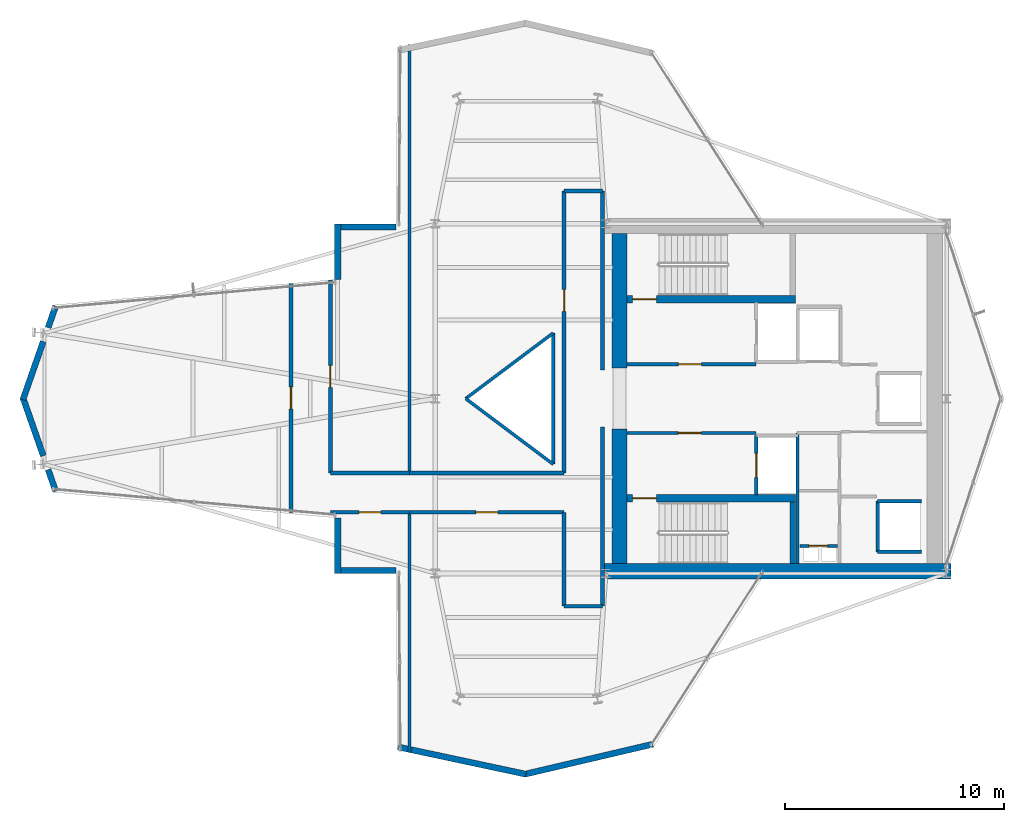
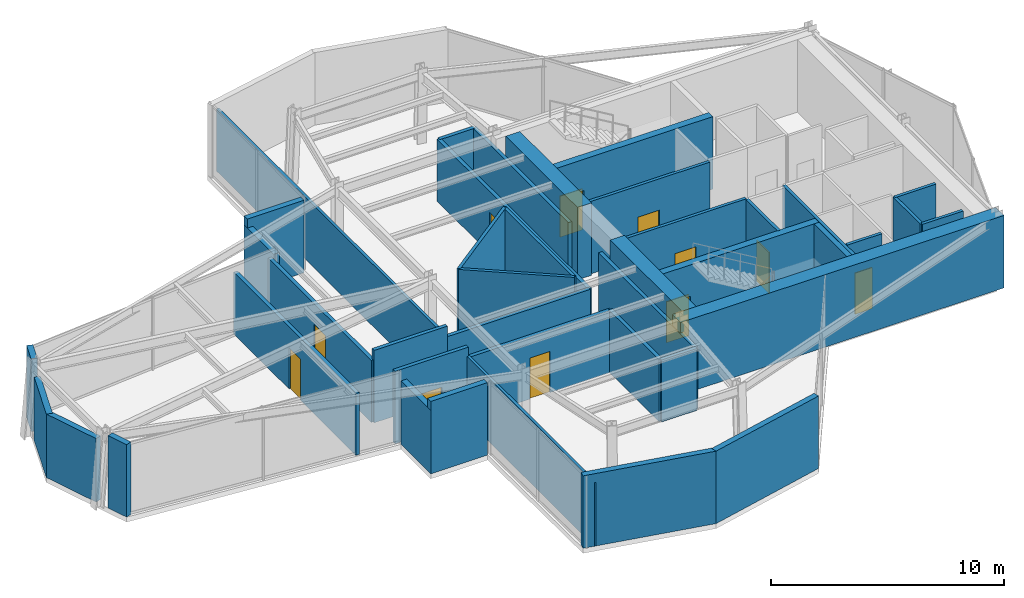
# One storey, part 21 of 23: 41 walls, 11 doors, 11 openings.
"""IFC4 building model written with IfcOpenShell, lengths in metres."""

from ifc_helpers import new_model, si_unit, direction, frame, frame_2d, origin, place, context, subcontext, project, spatial, rectangle, extrude, material, layer, layer_set, type_object, element, fill, save


model = new_model("IFC4")

# Units and contexts
model_context = context("Model", 3, precision=1e-05, world=origin(), true_north=direction((0.0, 1.0)))
body_context = subcontext(model_context, "Body", "Model", "MODEL_VIEW")
ifc_project = project(units=[si_unit("LENGTHUNIT", "METRE"), si_unit("AREAUNIT", "SQUARE_METRE"), si_unit("VOLUMEUNIT", "CUBIC_METRE"), si_unit("PLANEANGLEUNIT", "RADIAN"), si_unit("MASSUNIT", "GRAM", prefix="KILO")], contexts=[model_context])

# Site, building, storey
site_placement = place(None, origin())
site = spatial("IfcSite", under=ifc_project, at=site_placement, CompositionType="ELEMENT")
building_placement = place(site_placement, origin())
building = spatial("IfcBuilding", under=site, at=building_placement, Name="Veymaron Broadcast Tower", CompositionType="ELEMENT")
storey_placement = place(building_placement, frame((0.0, 0.0, 199.949951171875)))
storey = spatial("IfcBuildingStorey", under=building, at=storey_placement, Name="L46", CompositionType="ELEMENT", Elevation=199.949951171875)

# Walls
ifc_material_1 = material(Name="Precast concrete C40/50", Category="concrete")
ifc_layer_1 = layer(ifc_material_1, 0.280029296875)
ifc_layer_set_1 = layer_set([ifc_layer_1], Name="Precast concrete C40/50")
wall_type_1 = type_object("IfcWallType", Name="WALL-EXT-280", PredefinedType="STANDARD", material=ifc_layer_set_1)
wall_1_placement = place(storey_placement, frame((29.40576171875, 31.860107421875, 0.0), z_axis=(0.0, 0.0, 1.0), x_axis=(-1.0, 0.0, 0.0)))
element("IfcWall", 1, at=wall_1_placement, inside=storey, type_object=wall_type_1, Name="L46 notched corner facade pier 9-1", PredefinedType="STANDARD", context=body_context, shape_type="SweptSolid", body=[
    extrude(rectangle(XDim=2.8056640625, YDim=0.280029296875, at=frame_2d((1.40283203125, 0.0))), origin(), (0.0, 0.0, 1.0), 3.7900390625),
])
wall_2_placement = place(storey_placement, frame((26.739990234375, 32.0, 0.0), z_axis=(0.0, 0.0, 1.0), x_axis=(0.0, -1.0, 0.0)))
element("IfcWall", 2, at=wall_2_placement, inside=storey, type_object=wall_type_1, Name="L46 notched corner facade pier 10-1", PredefinedType="STANDARD", context=body_context, shape_type="SweptSolid", body=[
    extrude(rectangle(XDim=2.54541015625, YDim=0.280029296875, at=frame_2d((1.272705078125, 0.0))), origin(), (0.0, 0.0, 1.0), 3.319091796875),
])
wall_3_placement = place(storey_placement, frame((13.83203125, 28.2373046875, 0.0), z_axis=(0.0, 0.0, 1.0), x_axis=(-0.330412831303, -0.943836511749, 0.0)))
element("IfcWall", 3, at=wall_3_placement, inside=storey, type_object=wall_type_1, Name="L46 notched corner facade pier 12-1", PredefinedType="STANDARD", context=body_context, shape_type="SweptSolid", body=[
    extrude(rectangle(XDim=1.045654296875, YDim=0.280029296875, at=frame_2d((0.52294921875, 0.0))), origin(), (0.0, 0.0, 1.0), 3.7900390625),
])
for number, where, z_axis, x_axis, name in (
    (4, (13.26416015625, 26.614990234375, 0.0), (0.0, 0.0, 1.0), (-0.330554810483, -0.94378679651, 0.0), "L46 notched corner facade pier 12-2"),
    (5, (12.33203125, 24.04638671875, 0.0), (0.0, 0.0, 1.0), (0.330554810483, -0.94378679651, 0.0), "L46 notched corner facade pier 13-1"),
):
    element("IfcWall", number, at=place(storey_placement, frame(where, z_axis=z_axis, x_axis=x_axis)), inside=storey, type_object=wall_type_1, Name=name, PredefinedType="STANDARD", context=body_context, shape_type="SweptSolid", body=[
        extrude(rectangle(XDim=2.81982421875, YDim=0.280029296875, at=frame_2d((1.409912109375, 0.0))), origin(), (0.0, 0.0, 1.0), 3.319091796875),
    ])
wall_4_placement = place(storey_placement, frame((13.486572265625, 20.74951171875, 0.0), z_axis=(0.0, 0.0, 1.0), x_axis=(0.330412831303, -0.943836511749, 0.0)))
element("IfcWall", 6, at=wall_4_placement, inside=storey, type_object=wall_type_1, Name="L46 notched corner facade pier 13-2", PredefinedType="STANDARD", context=body_context, shape_type="SweptSolid", body=[
    extrude(rectangle(XDim=1.045654296875, YDim=0.280029296875, at=frame_2d((0.52294921875, 0.0))), origin(), (0.0, 0.0, 1.0), 3.7900390625),
])
wall_5_placement = place(storey_placement, frame((26.739990234375, 18.54541015625, 0.0), z_axis=(0.0, 0.0, 1.0), x_axis=(0.0, -1.0, 0.0)))
element("IfcWall", 7, at=wall_5_placement, inside=storey, type_object=wall_type_1, Name="L46 notched corner facade pier 15-1", PredefinedType="STANDARD", context=body_context, shape_type="SweptSolid", body=[
    extrude(rectangle(XDim=2.54541015625, YDim=0.280029296875, at=frame_2d((1.272705078125, 0.0))), origin(), (0.0, 0.0, 1.0), 3.319091796875),
])
wall_6_placement = place(storey_placement, frame((26.60009765625, 16.139892578125, 0.0), z_axis=(0.0, 0.0, 1.0), x_axis=(1.0, 0.0, 0.0)))
element("IfcWall", 8, at=wall_6_placement, inside=storey, type_object=wall_type_1, Name="L46 notched corner facade pier 16-1", PredefinedType="STANDARD", context=body_context, shape_type="SweptSolid", body=[
    extrude(rectangle(XDim=2.8056640625, YDim=0.280029296875, at=frame_2d((1.40283203125, 0.0))), origin(), (0.0, 0.0, 1.0), 3.7900390625),
])
wall_7_placement = place(storey_placement, frame((29.492431640625, 8.06201171875, 0.0), z_axis=(0.0, 0.0, 1.0), x_axis=(0.978010564176, -0.208555355626, 0.0)))
element("IfcWall", 9, at=wall_7_placement, inside=storey, type_object=wall_type_1, Name="L46 notched corner facade pier 18-1", PredefinedType="STANDARD", context=body_context, shape_type="SweptSolid", body=[
    extrude(rectangle(XDim=5.99365234375, YDim=0.280029296875, at=frame_2d((2.996826171875, 0.0))), origin(), (0.0, 0.0, 1.0), 3.7900390625),
])
wall_8_placement = place(storey_placement, frame((35.29296875, 6.811279296875, 0.0), z_axis=(0.0, 0.0, 1.0), x_axis=(0.973574347184, 0.228370292517, 0.0)))
element("IfcWall", 10, at=wall_8_placement, inside=storey, type_object=wall_type_1, Name="L46 notched corner facade pier 19-1", PredefinedType="STANDARD", context=body_context, shape_type="SweptSolid", body=[
    extrude(rectangle(XDim=6.02099609375, YDim=0.280029296875, at=frame_2d((3.010498046875, 0.0))), origin(), (0.0, 0.0, 1.0), 3.7900390625),
])

# Wall, opening, door
ifc_material_2 = material(Name="Gypsum fireboard and steel stud framing", Category="steel")
ifc_layer_2 = layer(ifc_material_2, 0.14990234375)
ifc_layer_set_2 = layer_set([ifc_layer_2], Name="Gypsum fireboard and steel stud framing")
wall_type_2 = type_object("IfcWallType", Name="WALL-FIRE-150", PredefinedType="PARTITIONING", material=ifc_layer_set_2)
wall_9_placement = place(storey_placement, frame((39.97998046875, 25.574951171875, 0.0), z_axis=(0.0, 0.0, 1.0), x_axis=(1.0, 0.0, 0.0)))
wall_9 = element("IfcWall", 11, at=wall_9_placement, inside=storey, type_object=wall_type_2, Name="L46 partition IW-L46-FFLN-S", PredefinedType="PARTITIONING", context=body_context, shape_type="SweptSolid", body=[
    extrude(rectangle(XDim=5.89990234375, YDim=0.14990234375, at=frame_2d((2.949951171875, 0.0))), origin(), (0.0, 0.0, 1.0), 3.7900390625),
])
opening_1_placement = place(wall_9_placement, frame((2.35009765625, 0.0, 0.0)))
opening_1 = element("IfcOpeningElement", 12, at=opening_1_placement, cuts=wall_9, Name="Opening ID-FL1", PredefinedType="OPENING", context=body_context, shape_type="SweptSolid", body=[
    extrude(rectangle(XDim=1.050048828125, YDim=2.14990234375, at=frame_2d((0.52490234375, 1.074951171875))), frame((0.0, 0.0849609375, 0.0), z_axis=(0.0, -1.0, 0.0), x_axis=(1.0, 0.0, 0.0)), (0.0, 0.0, 1.0), 0.169921875),
])
ifc_material_3 = material(Name="Fire-rated painted hollow steel ASTM A653", Category="steel")
door_type_1 = type_object("IfcDoorType", Name="DOOR-FIRE-1050", OperationType="NOTDEFINED", PredefinedType="DOOR", material=ifc_material_3)
door_1_placement = place(opening_1_placement, origin())
door_1 = element("IfcDoor", 13, at=door_1_placement, inside=storey, type_object=door_type_1, Name="L46 door DR-L46-FFLN", OperationType="SINGLE_SWING_LEFT", OverallHeight=2.14990234375, OverallWidth=1.050048828125, PredefinedType="DOOR", context=body_context, shape_type="SweptSolid", body=[
    extrude(rectangle(XDim=1.050048828125, YDim=2.14990234375, at=frame_2d((0.52490234375, 1.074951171875))), frame((0.0, 0.02490234375, 0.0), z_axis=(0.0, -1.0, 0.0), x_axis=(1.0, 0.0, 0.0)), (0.0, 0.0, 1.0), 0.050048828125),
])
fill(opening_1, door_1)

wall_10_placement = place(storey_placement, frame((39.97998046875, 22.425048828125, 0.0), z_axis=(0.0, 0.0, 1.0), x_axis=(1.0, 0.0, 0.0)))
wall_10 = element("IfcWall", 14, at=wall_10_placement, inside=storey, type_object=wall_type_2, Name="L46 partition IW-L46-FFLS-N", PredefinedType="PARTITIONING", context=body_context, shape_type="SweptSolid", body=[
    extrude(rectangle(XDim=5.89990234375, YDim=0.14990234375, at=frame_2d((2.949951171875, 0.0))), origin(), (0.0, 0.0, 1.0), 3.7900390625),
])
opening_2_placement = place(wall_10_placement, frame((2.35009765625, 0.0, 0.0)))
opening_2 = element("IfcOpeningElement", 15, at=opening_2_placement, cuts=wall_10, Name="Opening ID-FL1", PredefinedType="OPENING", context=body_context, shape_type="SweptSolid", body=[
    extrude(rectangle(XDim=1.050048828125, YDim=2.14990234375, at=frame_2d((0.52490234375, 1.074951171875))), frame((0.0, 0.0849609375, 0.0), z_axis=(0.0, -1.0, 0.0), x_axis=(1.0, 0.0, 0.0)), (0.0, 0.0, 1.0), 0.169921875),
])
door_2_placement = place(opening_2_placement, frame((1.050048828125, 0.0, 0.0), z_axis=(0.0, 0.0, 1.0), x_axis=(-1.0, 0.0, 0.0)))
door_2 = element("IfcDoor", 16, at=door_2_placement, inside=storey, type_object=door_type_1, Name="L46 door DR-L46-FFLS", OperationType="SINGLE_SWING_RIGHT", OverallHeight=2.14990234375, OverallWidth=1.050048828125, PredefinedType="DOOR", context=body_context, shape_type="SweptSolid", body=[
    extrude(rectangle(XDim=1.050048828125, YDim=2.14990234375, at=frame_2d((0.52490234375, 1.074951171875))), frame((0.0, 0.02490234375, 0.0), z_axis=(0.0, -1.0, 0.0), x_axis=(1.0, 0.0, 0.0)), (0.0, 0.0, 1.0), 0.050048828125),
])
fill(opening_2, door_2)

wall_11_placement = place(storey_placement, frame((45.89501953125, 19.590087890625, 0.0), z_axis=(0.0, 0.0, 1.0), x_axis=(0.0, 1.0, 0.0)))
wall_11 = element("IfcWall", 17, at=wall_11_placement, inside=storey, type_object=wall_type_2, Name="L46 partition IW-L46-SHW-FFL-2", PredefinedType="PARTITIONING", context=body_context, shape_type="SweptSolid", body=[
    extrude(rectangle(XDim=2.719970703125, YDim=0.14990234375, at=frame_2d((1.35986328125, 0.0))), origin(), (0.0, 0.0, 1.0), 3.7900390625),
])
opening_3_placement = place(wall_11_placement, frame((0.81005859375, 0.0, 0.0)))
opening_3 = element("IfcOpeningElement", 18, at=opening_3_placement, cuts=wall_11, Name="Opening LD", PredefinedType="OPENING", context=body_context, shape_type="SweptSolid", body=[
    extrude(rectangle(XDim=1.10009765625, YDim=2.14990234375, at=frame_2d((0.550048828125, 1.074951171875))), frame((0.0, 0.0849609375, 0.0), z_axis=(0.0, -1.0, 0.0), x_axis=(1.0, 0.0, 0.0)), (0.0, 0.0, 1.0), 0.169921875),
])
ifc_material_4 = material(Name="Brushed stainless steel AISI 304", Category="steel")
door_type_2 = type_object("IfcDoorType", Name="DOOR-LIFT-1100", OperationType="DOUBLE_DOOR_SLIDING", PredefinedType="DOOR", material=ifc_material_4)
door_3_placement = place(opening_3_placement, frame((1.10009765625, 0.0, 0.0), z_axis=(0.0, 0.0, 1.0), x_axis=(-1.0, 0.0, 0.0)))
door_3 = element("IfcDoor", 19, at=door_3_placement, inside=storey, type_object=door_type_2, Name="L46 door LD-L46-FFL-2", OperationType="DOUBLE_DOOR_SLIDING", OverallHeight=2.14990234375, OverallWidth=1.10009765625, PredefinedType="DOOR", context=body_context, shape_type="SweptSolid", body=[
    extrude(rectangle(XDim=1.10009765625, YDim=2.14990234375, at=frame_2d((0.550048828125, 1.074951171875))), frame((0.0, 0.02490234375, 0.0), z_axis=(0.0, -1.0, 0.0), x_axis=(1.0, 0.0, 0.0)), (0.0, 0.0, 1.0), 0.050048828125),
])
fill(opening_3, door_3)

# Walls
wall_12_placement = place(storey_placement, frame((51.445068359375, 16.989990234375, 0.0), z_axis=(0.0, 0.0, 1.0), x_axis=(0.0, 1.0, 0.0)))
element("IfcWall", 20, at=wall_12_placement, inside=storey, type_object=wall_type_2, Name="L46 partition IW-L46-SHW-PH1", PredefinedType="PARTITIONING", context=body_context, shape_type="SweptSolid", body=[
    extrude(rectangle(XDim=2.320068359375, YDim=0.14990234375, at=frame_2d((1.16015625, 0.0))), origin(), (0.0, 0.0, 1.0), 3.7900390625),
])
for number, where, z_axis, x_axis, name in (
    (21, (51.445068359375, 16.989990234375, 0.0), (0.0, 0.0, 1.0), (1.0, 0.0, 0.0), "L46 partition IW-L46-SHS-PH1"),
    (22, (51.445068359375, 19.31005859375, 0.0), (0.0, 0.0, 1.0), (1.0, 0.0, 0.0), "L46 partition IW-L46-SHN-PH1"),
):
    element("IfcWall", number, at=place(storey_placement, frame(where, z_axis=z_axis, x_axis=x_axis)), inside=storey, type_object=wall_type_2, Name=name, PredefinedType="PARTITIONING", context=body_context, shape_type="SweptSolid", body=[
        extrude(rectangle(XDim=2.014892578125, YDim=0.14990234375, at=frame_2d((1.00732421875, 0.0))), origin(), (0.0, 0.0, 1.0), 3.7900390625),
    ])

# Wall, opening, door
wall_13_placement = place(storey_placement, frame((47.8798828125, 17.260009765625, 0.0), z_axis=(0.0, 0.0, 1.0), x_axis=(1.0, 0.0, 0.0)))
wall_13 = element("IfcWall", 23, at=wall_13_placement, inside=storey, type_object=wall_type_2, Name="L46 partition IW-L46-RIS-N", PredefinedType="PARTITIONING", context=body_context, shape_type="SweptSolid", body=[
    extrude(rectangle(XDim=1.72021484375, YDim=0.14990234375, at=frame_2d((0.860107421875, 0.0))), origin(), (0.0, 0.0, 1.0), 3.7900390625),
])
opening_4_placement = place(wall_13_placement, frame((0.419921875, 0.0, 0.0)))
opening_4 = element("IfcOpeningElement", 24, at=opening_4_placement, cuts=wall_13, Name="Opening ID-RS1", PredefinedType="OPENING", context=body_context, shape_type="SweptSolid", body=[
    extrude(rectangle(XDim=0.85009765625, YDim=2.14990234375, at=frame_2d((0.425048828125, 1.074951171875))), frame((0.0, 0.0849609375, 0.0), z_axis=(0.0, -1.0, 0.0), x_axis=(1.0, 0.0, 0.0)), (0.0, 0.0, 1.0), 0.169921875),
])
ifc_material_5 = material(Name="Fire-rated powder-coated steel riser leaf", Category="steel")
door_type_3 = type_object("IfcDoorType", Name="DOOR-RIS-850", OperationType="NOTDEFINED", PredefinedType="TRAPDOOR", material=ifc_material_5)
door_4_placement = place(opening_4_placement, origin())
door_4 = element("IfcDoor", 25, at=door_4_placement, inside=storey, type_object=door_type_3, Name="L46 door DR-L46-RIS", OperationType="SINGLE_SWING_LEFT", OverallHeight=2.14990234375, OverallWidth=0.85009765625, PredefinedType="TRAPDOOR", context=body_context, shape_type="SweptSolid", body=[
    extrude(rectangle(XDim=0.85009765625, YDim=2.14990234375, at=frame_2d((0.425048828125, 1.074951171875))), frame((0.0, 0.02490234375, 0.0), z_axis=(0.0, -1.0, 0.0), x_axis=(1.0, 0.0, 0.0)), (0.0, 0.0, 1.0), 0.050048828125),
])
fill(opening_4, door_4)

# Wall
wall_14_placement = place(storey_placement, frame((47.780029296875, 16.449951171875, 0.0), z_axis=(0.0, 0.0, 1.0), x_axis=(0.0, 1.0, 0.0)))
element("IfcWall", 26, at=wall_14_placement, inside=storey, type_object=wall_type_2, Name="L46 partition IW-L46-SM-W", PredefinedType="PARTITIONING", context=body_context, shape_type="SweptSolid", body=[
    extrude(rectangle(XDim=5.97509765625, YDim=0.14990234375, at=frame_2d((2.987548828125, 0.0))), origin(), (0.0, 0.0, 1.0), 3.7900390625),
])

# Wall, opening, door
ifc_material_6 = material(Name="Concrete C40/50", Category="concrete")
ifc_layer_3 = layer(ifc_material_6, 0.179931640625)
ifc_layer_set_3 = layer_set([ifc_layer_3], Name="Concrete C40/50")
wall_type_3 = type_object("IfcWallType", Name="WALL-FIRE-180", PredefinedType="SOLIDWALL", material=ifc_layer_set_3)
wall_15_placement = place(storey_placement, frame((30.02490234375, 18.800048828125, 0.0), z_axis=(0.0, 0.0, 1.0), x_axis=(1.0, 0.0, 0.0)))
wall_15 = element("IfcWall", 27, at=wall_15_placement, inside=storey, type_object=wall_type_3, Name="L46 partition IW-L46-P02", PredefinedType="SOLIDWALL", context=body_context, shape_type="SweptSolid", body=[
    extrude(rectangle(XDim=7.0751953125, YDim=0.179931640625, at=frame_2d((3.53759765625, 0.0))), origin(), (0.0, 0.0, 1.0), 3.240966796875),
])
opening_5_placement = place(wall_15_placement, frame((3.03759765625, 0.0, 0.0)))
opening_5 = element("IfcOpeningElement", 28, at=opening_5_placement, cuts=wall_15, Name="Opening ID-RM3", PredefinedType="OPENING", context=body_context, shape_type="SweptSolid", body=[
    extrude(rectangle(XDim=1.0, YDim=2.14990234375, at=frame_2d((0.5, 1.074951171875))), frame((0.0, 0.10009765625, 0.0), z_axis=(0.0, -1.0, 0.0), x_axis=(1.0, 0.0, 0.0)), (0.0, 0.0, 1.0), 0.199951171875),
])
ifc_material_7 = material(Name="Acoustic solid-core European oak veneer timber", Category="wood")
door_type_4 = type_object("IfcDoorType", Name="DOOR-INT-1000", OperationType="NOTDEFINED", PredefinedType="DOOR", material=ifc_material_7)
door_5_placement = place(opening_5_placement, frame((1.0, 0.0, 0.0), z_axis=(0.0, 0.0, 1.0), x_axis=(-1.0, 0.0, 0.0)))
door_5 = element("IfcDoor", 29, at=door_5_placement, inside=storey, type_object=door_type_4, Name="L46 door DR-L46-P02", OperationType="SINGLE_SWING_LEFT", OverallHeight=2.14990234375, OverallWidth=1.0, PredefinedType="DOOR", context=body_context, shape_type="SweptSolid", body=[
    extrude(rectangle(XDim=1.0, YDim=2.14990234375, at=frame_2d((0.5, 1.074951171875))), frame((0.0, 0.02490234375, 0.0), z_axis=(0.0, -1.0, 0.0), x_axis=(1.0, 0.0, 0.0)), (0.0, 0.0, 1.0), 0.050048828125),
])
fill(opening_5, door_5)

wall_16_placement = place(storey_placement, frame((26.39990234375, 18.800048828125, 0.0), z_axis=(0.0, 0.0, 1.0), x_axis=(1.0, 0.0, 0.0)))
wall_16 = element("IfcWall", 30, at=wall_16_placement, inside=storey, type_object=wall_type_3, Name="L46 partition IW-L46-P05", PredefinedType="SOLIDWALL", context=body_context, shape_type="SweptSolid", body=[
    extrude(rectangle(XDim=3.625, YDim=0.179931640625, at=frame_2d((1.8125, 0.0))), origin(), (0.0, 0.0, 1.0), 3.7900390625),
])
opening_6_placement = place(wall_16_placement, frame((1.3125, 0.0, 0.0)))
opening_6 = element("IfcOpeningElement", 31, at=opening_6_placement, cuts=wall_16, Name="Opening ID-RM3", PredefinedType="OPENING", context=body_context, shape_type="SweptSolid", body=[
    extrude(rectangle(XDim=1.0, YDim=2.14990234375, at=frame_2d((0.5, 1.074951171875))), frame((0.0, 0.10009765625, 0.0), z_axis=(0.0, -1.0, 0.0), x_axis=(1.0, 0.0, 0.0)), (0.0, 0.0, 1.0), 0.199951171875),
])
door_6_placement = place(opening_6_placement, frame((1.0, 0.0, 0.0), z_axis=(0.0, 0.0, 1.0), x_axis=(-1.0, 0.0, 0.0)))
door_6 = element("IfcDoor", 32, at=door_6_placement, inside=storey, type_object=door_type_4, Name="L46 door DR-L46-P05", OperationType="SINGLE_SWING_RIGHT", OverallHeight=2.14990234375, OverallWidth=1.0, PredefinedType="DOOR", context=body_context, shape_type="SweptSolid", body=[
    extrude(rectangle(XDim=1.0, YDim=2.14990234375, at=frame_2d((0.5, 1.074951171875))), frame((0.0, 0.02490234375, 0.0), z_axis=(0.0, -1.0, 0.0), x_axis=(1.0, 0.0, 0.0)), (0.0, 0.0, 1.0), 0.050048828125),
])
fill(opening_6, door_6)

wall_17_placement = place(storey_placement, frame((24.60009765625, 18.800048828125, 0.0), z_axis=(0.0, 0.0, 1.0), x_axis=(0.0, 1.0, 0.0)))
wall_17 = element("IfcWall", 33, at=wall_17_placement, inside=storey, type_object=wall_type_3, Name="L46 partition IW-L46-P06", PredefinedType="SOLIDWALL", context=body_context, shape_type="SweptSolid", body=[
    extrude(rectangle(XDim=10.47314453125, YDim=0.179931640625, at=frame_2d((5.236572265625, 0.0))), origin(), (0.0, 0.0, 1.0), 3.240966796875),
])
opening_7_placement = place(wall_17_placement, frame((4.736572265625, 0.0, 0.0)))
opening_7 = element("IfcOpeningElement", 34, at=opening_7_placement, cuts=wall_17, Name="Opening ID-RM3", PredefinedType="OPENING", context=body_context, shape_type="SweptSolid", body=[
    extrude(rectangle(XDim=1.0, YDim=2.14990234375, at=frame_2d((0.5, 1.074951171875))), frame((0.0, 0.10009765625, 0.0), z_axis=(0.0, -1.0, 0.0), x_axis=(1.0, 0.0, 0.0)), (0.0, 0.0, 1.0), 0.199951171875),
])
door_7_placement = place(opening_7_placement, origin())
door_7 = element("IfcDoor", 35, at=door_7_placement, inside=storey, type_object=door_type_4, Name="L46 door DR-L46-P06", OperationType="SINGLE_SWING_LEFT", OverallHeight=2.14990234375, OverallWidth=1.0, PredefinedType="DOOR", context=body_context, shape_type="SweptSolid", body=[
    extrude(rectangle(XDim=1.0, YDim=2.14990234375, at=frame_2d((0.5, 1.074951171875))), frame((0.0, 0.02490234375, 0.0), z_axis=(0.0, -1.0, 0.0), x_axis=(1.0, 0.0, 0.0)), (0.0, 0.0, 1.0), 0.050048828125),
])
fill(opening_7, door_7)

wall_18_placement = place(storey_placement, frame((26.39990234375, 20.60009765625, 0.0), z_axis=(0.0, 0.0, 1.0), x_axis=(0.0, 1.0, 0.0)))
wall_18 = element("IfcWall", 36, at=wall_18_placement, inside=storey, type_object=wall_type_3, Name="L46 partition IW-L46-P07", PredefinedType="SOLIDWALL", context=body_context, shape_type="SweptSolid", body=[
    extrude(rectangle(XDim=8.83642578125, YDim=0.179931640625, at=frame_2d((4.418212890625, 0.0))), origin(), (0.0, 0.0, 1.0), 3.240966796875),
])
opening_8_placement = place(wall_18_placement, frame((3.918212890625, 0.0, 0.0)))
opening_8 = element("IfcOpeningElement", 37, at=opening_8_placement, cuts=wall_18, Name="Opening ID-RM3", PredefinedType="OPENING", context=body_context, shape_type="SweptSolid", body=[
    extrude(rectangle(XDim=1.0, YDim=2.14990234375, at=frame_2d((0.5, 1.074951171875))), frame((0.0, 0.10009765625, 0.0), z_axis=(0.0, -1.0, 0.0), x_axis=(1.0, 0.0, 0.0)), (0.0, 0.0, 1.0), 0.199951171875),
])
door_8_placement = place(opening_8_placement, frame((1.0, 0.0, 0.0), z_axis=(0.0, 0.0, 1.0), x_axis=(-1.0, 0.0, 0.0)))
door_8 = element("IfcDoor", 38, at=door_8_placement, inside=storey, type_object=door_type_4, Name="L46 door DR-L46-P07", OperationType="SINGLE_SWING_RIGHT", OverallHeight=2.14990234375, OverallWidth=1.0, PredefinedType="DOOR", context=body_context, shape_type="SweptSolid", body=[
    extrude(rectangle(XDim=1.0, YDim=2.14990234375, at=frame_2d((0.5, 1.074951171875))), frame((0.0, 0.02490234375, 0.0), z_axis=(0.0, -1.0, 0.0), x_axis=(1.0, 0.0, 0.0)), (0.0, 0.0, 1.0), 0.050048828125),
])
fill(opening_8, door_8)

wall_19_placement = place(storey_placement, frame((37.10009765625, 20.60009765625, 0.0), z_axis=(0.0, 0.0, 1.0), x_axis=(0.0, 1.0, 0.0)))
wall_19 = element("IfcWall", 39, at=wall_19_placement, inside=storey, type_object=wall_type_3, Name="L46 partition IW-L46-P09", PredefinedType="SOLIDWALL", context=body_context, shape_type="SweptSolid", body=[
    extrude(rectangle(XDim=12.89990234375, YDim=0.179931640625, at=frame_2d((6.449951171875, 0.0))), origin(), (0.0, 0.0, 1.0), 3.240966796875),
])
opening_9_placement = place(wall_19_placement, frame((7.389892578125, 0.0, 0.0)))
opening_9 = element("IfcOpeningElement", 40, at=opening_9_placement, cuts=wall_19, Name="Opening ID-RM3", PredefinedType="OPENING", context=body_context, shape_type="SweptSolid", body=[
    extrude(rectangle(XDim=1.0, YDim=2.14990234375, at=frame_2d((0.5, 1.074951171875))), frame((0.0, 0.10009765625, 0.0), z_axis=(0.0, -1.0, 0.0), x_axis=(1.0, 0.0, 0.0)), (0.0, 0.0, 1.0), 0.199951171875),
])
door_9_placement = place(opening_9_placement, frame((1.0, 0.0, 0.0), z_axis=(0.0, 0.0, 1.0), x_axis=(-1.0, 0.0, 0.0)))
door_9 = element("IfcDoor", 41, at=door_9_placement, inside=storey, type_object=door_type_4, Name="L46 door DR-L46-P09", OperationType="SINGLE_SWING_RIGHT", OverallHeight=2.14990234375, OverallWidth=1.0, PredefinedType="DOOR", context=body_context, shape_type="SweptSolid", body=[
    extrude(rectangle(XDim=1.0, YDim=2.14990234375, at=frame_2d((0.5, 1.074951171875))), frame((0.0, 0.02490234375, 0.0), z_axis=(0.0, -1.0, 0.0), x_axis=(1.0, 0.0, 0.0)), (0.0, 0.0, 1.0), 0.050048828125),
])
fill(opening_9, door_9)

# Walls
wall_20_placement = place(storey_placement, frame((38.85009765625, 14.5, 0.0), z_axis=(0.0, 0.0, 1.0), x_axis=(0.0, 1.0, 0.0)))
element("IfcWall", 42, at=wall_20_placement, inside=storey, type_object=wall_type_3, Name="L46 partition IW-L46-P01", PredefinedType="SOLIDWALL", context=body_context, shape_type="SweptSolid", body=[
    extrude(rectangle(XDim=8.199951171875, YDim=0.179931640625, at=frame_2d((4.10009765625, 0.0))), origin(), (0.0, 0.0, 1.0), 3.240966796875),
])
wall_21_placement = place(storey_placement, frame((37.10009765625, 14.5, 0.0), z_axis=(0.0, 0.0, 1.0), x_axis=(0.0, 1.0, 0.0)))
element("IfcWall", 43, at=wall_21_placement, inside=storey, type_object=wall_type_3, Name="L46 partition IW-L46-P03", PredefinedType="SOLIDWALL", context=body_context, shape_type="SweptSolid", body=[
    extrude(rectangle(XDim=4.300048828125, YDim=0.179931640625, at=frame_2d((2.14990234375, 0.0))), origin(), (0.0, 0.0, 1.0), 3.240966796875),
])
wall_22_placement = place(storey_placement, frame((37.10009765625, 14.5, 0.0), z_axis=(0.0, 0.0, 1.0), x_axis=(1.0, 0.0, 0.0)))
element("IfcWall", 44, at=wall_22_placement, inside=storey, type_object=wall_type_3, Name="L46 partition IW-L46-P04", PredefinedType="SOLIDWALL", context=body_context, shape_type="SweptSolid", body=[
    extrude(rectangle(XDim=1.75, YDim=0.179931640625, at=frame_2d((0.875, 0.0))), origin(), (0.0, 0.0, 1.0), 3.240966796875),
])
wall_23_placement = place(storey_placement, frame((26.39990234375, 20.60009765625, 0.0), z_axis=(0.0, 0.0, 1.0), x_axis=(1.0, 0.0, 0.0)))
element("IfcWall", 45, at=wall_23_placement, inside=storey, type_object=wall_type_3, Name="L46 partition IW-L46-P08", PredefinedType="SOLIDWALL", context=body_context, shape_type="SweptSolid", body=[
    extrude(rectangle(XDim=3.625, YDim=0.179931640625, at=frame_2d((1.8125, 0.0))), origin(), (0.0, 0.0, 1.0), 3.7900390625),
])
wall_24_placement = place(storey_placement, frame((38.85009765625, 25.300048828125, 0.0), z_axis=(0.0, 0.0, 1.0), x_axis=(0.0, 1.0, 0.0)))
element("IfcWall", 46, at=wall_24_placement, inside=storey, type_object=wall_type_3, Name="L46 partition IW-L46-P10", PredefinedType="SOLIDWALL", context=body_context, shape_type="SweptSolid", body=[
    extrude(rectangle(XDim=8.199951171875, YDim=0.179931640625, at=frame_2d((4.10009765625, 0.0))), origin(), (0.0, 0.0, 1.0), 3.240966796875),
])
wall_25_placement = place(storey_placement, frame((30.02490234375, 20.60009765625, 0.0), z_axis=(0.0, 0.0, 1.0), x_axis=(1.0, 0.0, 0.0)))
element("IfcWall", 47, at=wall_25_placement, inside=storey, type_object=wall_type_3, Name="L46 partition IW-L46-P11", PredefinedType="SOLIDWALL", context=body_context, shape_type="SweptSolid", body=[
    extrude(rectangle(XDim=7.0751953125, YDim=0.179931640625, at=frame_2d((3.53759765625, 0.0))), origin(), (0.0, 0.0, 1.0), 3.240966796875),
])
wall_26_placement = place(storey_placement, frame((37.10009765625, 33.5, 0.0), z_axis=(0.0, 0.0, 1.0), x_axis=(1.0, 0.0, 0.0)))
element("IfcWall", 48, at=wall_26_placement, inside=storey, type_object=wall_type_3, Name="L46 partition IW-L46-P12", PredefinedType="SOLIDWALL", context=body_context, shape_type="SweptSolid", body=[
    extrude(rectangle(XDim=1.75, YDim=0.179931640625, at=frame_2d((0.875, 0.0))), origin(), (0.0, 0.0, 1.0), 3.240966796875),
])
ifc_material_8 = material(Name="Fire-rated laminated glass in aluminium frame", Category="aluminium")
ifc_layer_4 = layer(ifc_material_8, 0.14990234375)
ifc_layer_set_4 = layer_set([ifc_layer_4], Name="Fire-rated laminated glass in aluminium frame")
wall_type_4 = type_object("IfcWallType", Name="WALL-GLZ-150", PredefinedType="MOVABLE", material=ifc_layer_set_4)
wall_27_placement = place(storey_placement, frame((32.60009765625, 24.0, 0.0), z_axis=(0.0, 0.0, 1.0), x_axis=(0.8, -0.6, 0.0)))
element("IfcWall", 49, at=wall_27_placement, inside=storey, type_object=wall_type_4, Name="L46 partition IW-L46-ATR1", PredefinedType="MOVABLE", context=body_context, shape_type="SweptSolid", body=[
    extrude(rectangle(XDim=5.0, YDim=0.14990234375, at=frame_2d((2.5, 0.0))), origin(), (0.0, 0.0, 1.0), 3.7900390625),
])
wall_28_placement = place(storey_placement, frame((36.60009765625, 21.0, 0.0), z_axis=(0.0, 0.0, 1.0), x_axis=(0.0, 1.0, 0.0)))
element("IfcWall", 50, at=wall_28_placement, inside=storey, type_object=wall_type_4, Name="L46 partition IW-L46-ATR2", PredefinedType="MOVABLE", context=body_context, shape_type="SweptSolid", body=[
    extrude(rectangle(XDim=6.0, YDim=0.14990234375, at=frame_2d((3.0, 0.0))), origin(), (0.0, 0.0, 1.0), 3.7900390625),
])
wall_29_placement = place(storey_placement, frame((36.60009765625, 27.0, 0.0), z_axis=(0.0, 0.0, 1.0), x_axis=(-0.8, -0.6, 0.0)))
element("IfcWall", 51, at=wall_29_placement, inside=storey, type_object=wall_type_4, Name="L46 partition IW-L46-ATR3", PredefinedType="MOVABLE", context=body_context, shape_type="SweptSolid", body=[
    extrude(rectangle(XDim=5.0, YDim=0.14990234375, at=frame_2d((2.5, 0.0))), origin(), (0.0, 0.0, 1.0), 3.7900390625),
])
ifc_material_9 = material(Name="Double-layer acoustic gypsum and stud", Category="gypsum")
ifc_layer_5 = layer(ifc_material_9, 0.135009765625)
ifc_layer_set_5 = layer_set([ifc_layer_5], Name="Double-layer acoustic gypsum and stud")
wall_type_5 = type_object("IfcWallType", Name="WALL-PART-135", PredefinedType="PARTITIONING", material=ifc_layer_set_5)
wall_30_placement = place(storey_placement, frame((30.02490234375, 7.80517578125, 0.0), z_axis=(0.0, 0.0, 1.0), x_axis=(0.0, 1.0, 0.0)))
element("IfcWall", 52, at=wall_30_placement, inside=storey, type_object=wall_type_5, Name="L46 partition IW-L46-P13", PredefinedType="PARTITIONING", context=body_context, shape_type="SweptSolid", body=[
    extrude(rectangle(XDim=10.994873046875, YDim=0.135009765625, at=frame_2d((5.49755859375, 0.0))), origin(), (0.0, 0.0, 1.0), 3.319091796875),
])
wall_31_placement = place(storey_placement, frame((30.02490234375, 20.60009765625, 0.0), z_axis=(0.0, 0.0, 1.0), x_axis=(0.0, 1.0, 0.0)))
element("IfcWall", 53, at=wall_31_placement, inside=storey, type_object=wall_type_5, Name="L46 partition IW-L46-P14", PredefinedType="PARTITIONING", context=body_context, shape_type="SweptSolid", body=[
    extrude(rectangle(XDim=19.5947265625, YDim=0.135009765625, at=frame_2d((9.79736328125, 0.0))), origin(), (0.0, 0.0, 1.0), 3.240966796875),
])
ifc_material_10 = material(Name="Concrete C50/60", Category="concrete")
ifc_layer_6 = layer(ifc_material_10, 0.25)
ifc_layer_set_6 = layer_set([ifc_layer_6], Name="Concrete C50/60")
wall_type_6 = type_object("IfcWallType", Name="WALL-SHEAR-250", PredefinedType="SHEAR", material=ifc_layer_set_6)
wall_32_placement = place(storey_placement, frame((47.56494140625, 16.449951171875, 0.0), z_axis=(0.0, 0.0, 1.0), x_axis=(0.0, 1.0, 0.0)))
element("IfcWall", 54, at=wall_32_placement, inside=storey, type_object=wall_type_6, Name="L46 Core Wall south stair east shear", PredefinedType="SHEAR", context=body_context, shape_type="SweptSolid", body=[
    extrude(rectangle(XDim=2.820068359375, YDim=0.25, at=frame_2d((1.41015625, 0.0))), origin(), (0.0, 0.0, 1.0), 3.7900390625),
])

# Wall, opening, door
ifc_layer_7 = layer(ifc_material_10, 0.35009765625)
ifc_layer_set_7 = layer_set([ifc_layer_7], Name="Concrete C50/60")
wall_type_7 = type_object("IfcWallType", Name="WALL-SHEAR-350", PredefinedType="SHEAR", material=ifc_layer_set_7)
wall_33_placement = place(storey_placement, frame((39.97998046875, 28.554931640625, 0.0), z_axis=(0.0, 0.0, 1.0), x_axis=(1.0, 0.0, 0.0)))
wall_33 = element("IfcWall", 55, at=wall_33_placement, inside=storey, type_object=wall_type_7, Name="L46 Core Wall north stair spine", PredefinedType="SHEAR", context=body_context, shape_type="SweptSolid", body=[
    extrude(rectangle(XDim=7.7099609375, YDim=0.35009765625, at=frame_2d((3.85498046875, 0.0))), origin(), (0.0, 0.0, 1.0), 3.7900390625),
])
opening_10_placement = place(wall_33_placement, frame((0.25, 0.0, 0.0)))
opening_10 = element("IfcOpeningElement", 56, at=opening_10_placement, cuts=wall_33, Name="Opening ID-ST1", PredefinedType="OPENING", context=body_context, shape_type="SweptSolid", body=[
    extrude(rectangle(XDim=1.10009765625, YDim=2.14990234375, at=frame_2d((0.550048828125, 1.074951171875))), frame((0.0, 0.18505859375, 0.0), z_axis=(0.0, -1.0, 0.0), x_axis=(1.0, 0.0, 0.0)), (0.0, 0.0, 1.0), 0.3701171875),
])
door_type_5 = type_object("IfcDoorType", Name="DOOR-STAIR-1100", OperationType="NOTDEFINED", PredefinedType="DOOR", material=ifc_material_3)
door_10_placement = place(opening_10_placement, origin())
door_10 = element("IfcDoor", 57, at=door_10_placement, inside=storey, type_object=door_type_5, Name="L46 exit stair ST1 fire door", OperationType="SINGLE_SWING_LEFT", OverallHeight=2.14990234375, OverallWidth=1.10009765625, PredefinedType="DOOR", context=body_context, shape_type="SweptSolid", body=[
    extrude(rectangle(XDim=1.10009765625, YDim=2.14990234375, at=frame_2d((0.550048828125, 1.074951171875))), frame((0.0, 0.02490234375, 0.0), z_axis=(0.0, -1.0, 0.0), x_axis=(1.0, 0.0, 0.0)), (0.0, 0.0, 1.0), 0.050048828125),
])
fill(opening_10, door_10)

wall_34_placement = place(storey_placement, frame((39.97998046875, 19.445068359375, 0.0), z_axis=(0.0, 0.0, 1.0), x_axis=(1.0, 0.0, 0.0)))
wall_34 = element("IfcWall", 58, at=wall_34_placement, inside=storey, type_object=wall_type_7, Name="L46 Core Wall south stair spine", PredefinedType="SHEAR", context=body_context, shape_type="SweptSolid", body=[
    extrude(rectangle(XDim=7.7099609375, YDim=0.35009765625, at=frame_2d((3.85498046875, 0.0))), origin(), (0.0, 0.0, 1.0), 3.7900390625),
])
opening_11_placement = place(wall_34_placement, frame((0.25, 0.0, 0.0)))
opening_11 = element("IfcOpeningElement", 59, at=opening_11_placement, cuts=wall_34, Name="Opening ID-ST1", PredefinedType="OPENING", context=body_context, shape_type="SweptSolid", body=[
    extrude(rectangle(XDim=1.10009765625, YDim=2.14990234375, at=frame_2d((0.550048828125, 1.074951171875))), frame((0.0, 0.18505859375, 0.0), z_axis=(0.0, -1.0, 0.0), x_axis=(1.0, 0.0, 0.0)), (0.0, 0.0, 1.0), 0.3701171875),
])
door_11_placement = place(opening_11_placement, frame((1.10009765625, 0.0, 0.0), z_axis=(0.0, 0.0, 1.0), x_axis=(-1.0, 0.0, 0.0)))
door_11 = element("IfcDoor", 60, at=door_11_placement, inside=storey, type_object=door_type_5, Name="L46 exit stair ST2 fire door", OperationType="SINGLE_SWING_RIGHT", OverallHeight=2.14990234375, OverallWidth=1.10009765625, PredefinedType="DOOR", context=body_context, shape_type="SweptSolid", body=[
    extrude(rectangle(XDim=1.10009765625, YDim=2.14990234375, at=frame_2d((0.550048828125, 1.074951171875))), frame((0.0, 0.02490234375, 0.0), z_axis=(0.0, -1.0, 0.0), x_axis=(1.0, 0.0, 0.0)), (0.0, 0.0, 1.0), 0.050048828125),
])
fill(opening_11, door_11)

# Walls
ifc_material_11 = material(Name="Concrete C60/75", Category="concrete")
ifc_layer_8 = layer(ifc_material_11, 0.699951171875)
ifc_layer_set_8 = layer_set([ifc_layer_8], Name="Concrete C60/75")
wall_type_8 = type_object("IfcWallType", Name="WALL-SHEAR-700", PredefinedType="SHEAR", material=ifc_layer_set_8)
wall_35_placement = place(storey_placement, frame((38.800048828125, 16.10009765625, 0.0), z_axis=(0.0, 0.0, 1.0), x_axis=(1.0, 0.0, 0.0)))
element("IfcWall", 61, at=wall_35_placement, inside=storey, type_object=wall_type_8, Name="L46 Core Wall south shear", PredefinedType="SHEAR", context=body_context, shape_type="SweptSolid", body=[
    extrude(rectangle(XDim=16.0, YDim=0.699951171875, at=frame_2d((8.0, 0.0))), origin(), (0.0, 0.0, 1.0), 3.7900390625),
])
for number, where, z_axis, x_axis, name in (
    (62, (39.6298828125, 16.449951171875, 0.0), (0.0, 0.0, 1.0), (0.0, 1.0, 0.0), "L46 Core Wall west-south shear"),
    (63, (39.6298828125, 25.39990234375, 0.0), (0.0, 0.0, 1.0), (0.0, 1.0, 0.0), "L46 Core Wall west-north shear"),
):
    element("IfcWall", number, at=place(storey_placement, frame(where, z_axis=z_axis, x_axis=x_axis)), inside=storey, type_object=wall_type_8, Name=name, PredefinedType="SHEAR", context=body_context, shape_type="SweptSolid", body=[
        extrude(rectangle(XDim=6.150146484375, YDim=0.699951171875, at=frame_2d((3.0751953125, 0.0))), origin(), (0.0, 0.0, 1.0), 3.7900390625),
    ])

save(model, "model.ifc")
